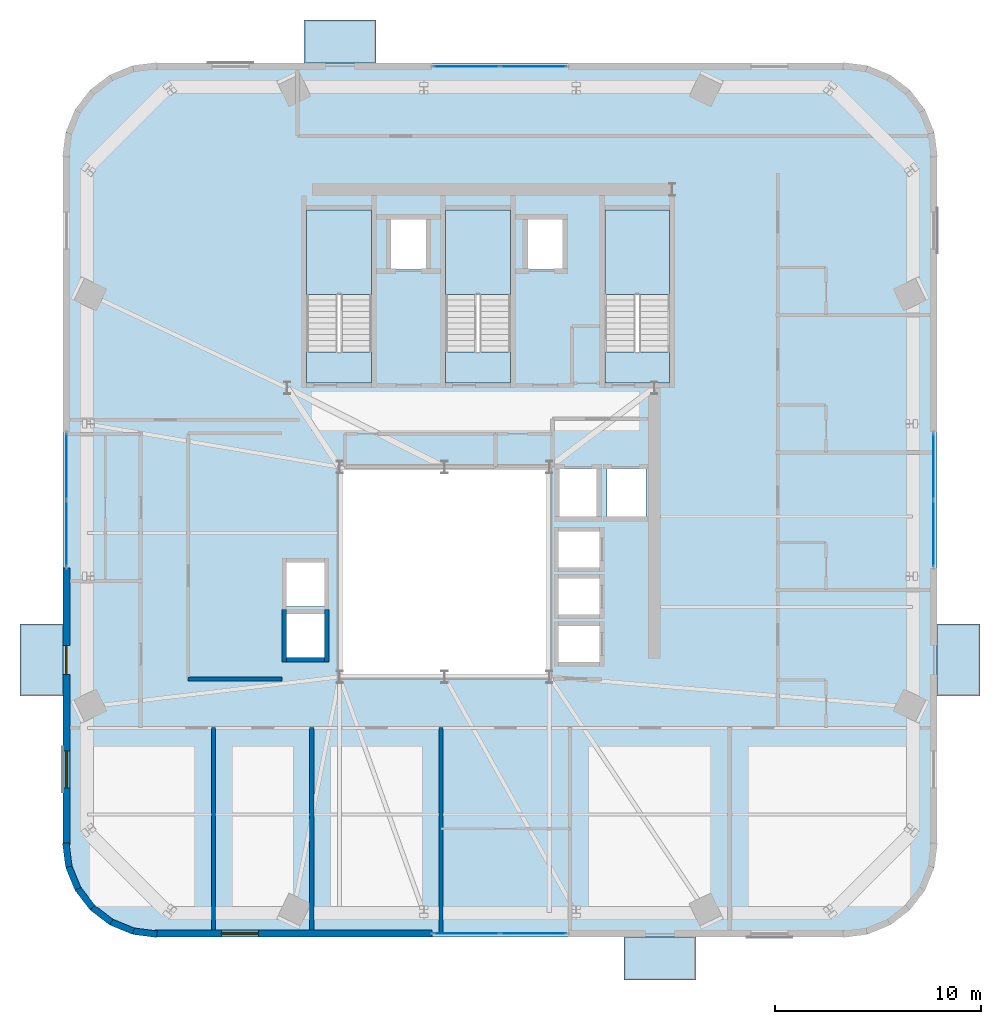
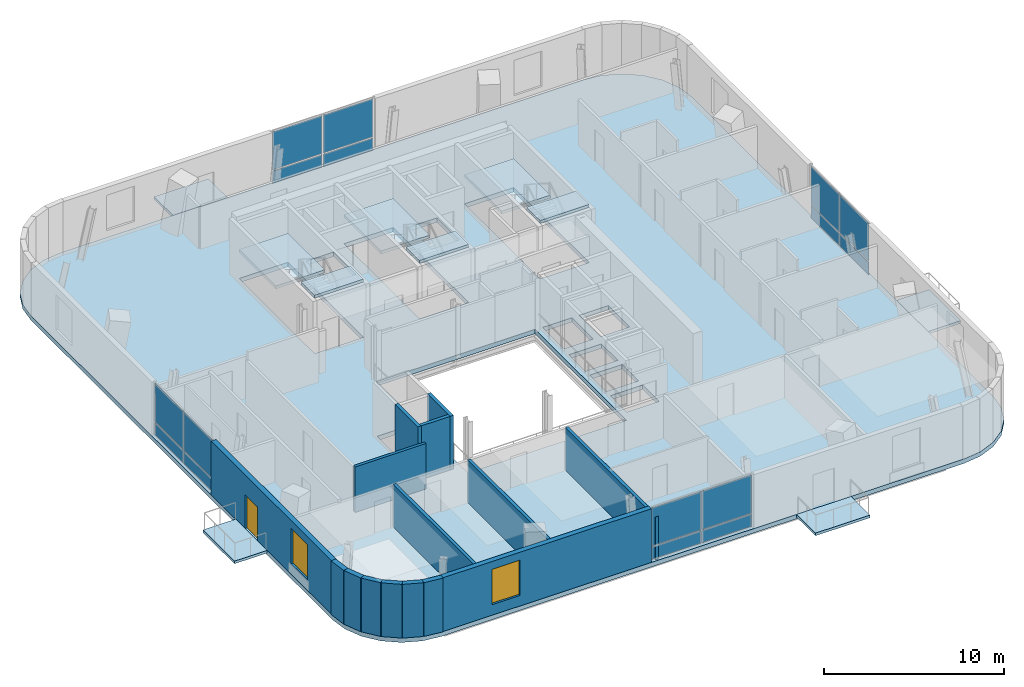
# One storey, part 5 of 14: 16 plates, 15 walls, 11 slabs, 2 windows, 1 door, 3 openings, 7 elements without a shape of their own.
"""IFC4 building model written with IfcOpenShell, lengths in metres."""

from ifc_helpers import new_model, si_unit, direction, frame, frame_2d, origin, origin_2d, place, context, subcontext, project, spatial, polyline, rectangle, outline, extrude, source, transform, mapped, material, layer, layer_set, type_object, element, fill, aggregate, save


model = new_model("IFC4")

# Units and contexts
model_context = context("Model", 3, precision=1e-05, world=origin(), true_north=direction((0.0, 1.0)))
body_context = subcontext(model_context, "Body", "Model", "MODEL_VIEW")
ifc_project = project(units=[si_unit("LENGTHUNIT", "METRE"), si_unit("AREAUNIT", "SQUARE_METRE"), si_unit("VOLUMEUNIT", "CUBIC_METRE"), si_unit("PLANEANGLEUNIT", "RADIAN"), si_unit("MASSUNIT", "GRAM", prefix="KILO")], contexts=[model_context])

# Site, building, storey
site_placement = place(None, origin())
site = spatial("IfcSite", under=ifc_project, at=site_placement, CompositionType="ELEMENT")
building_placement = place(site_placement, origin())
building = spatial("IfcBuilding", under=site, at=building_placement, Name="Vardaveli Station Tower", CompositionType="ELEMENT")
storey_placement = place(building_placement, frame((0.0, 0.0, 270.35009765625)))
storey = spatial("IfcBuildingStorey", under=building, at=storey_placement, Name="L69", CompositionType="ELEMENT", Elevation=270.35009765625)

# Stair, slabs
ifc_material_1 = material(Name="Concrete C40/50", Category="concrete")
stair_type = type_object("IfcStairType", Name="STR-CORE-1500", PredefinedType="HALF_TURN_STAIR", material=ifc_material_1)
stair_1_placement = place(storey_placement, origin())
stair_1 = element("IfcStair", 1, at=stair_1_placement, inside=storey, type_object=stair_type, Name="L69 ST-1", PredefinedType="HALF_TURN_STAIR")
ifc_layer_1 = layer(ifc_material_1, 0.199951171875, Name="Concrete C40/50")
ifc_layer_set_1 = layer_set([ifc_layer_1], Name="Concrete C40/50")
slab_type_1 = type_object("IfcSlabType", Name="SLB-LAND-200", PredefinedType="LANDING", material=ifc_layer_set_1)
slab_1_placement = place(storey_placement, frame((0.0, 0.0, 1.77490234375)))
slab_1 = element("IfcSlab", 2, at=slab_1_placement, type_object=slab_type_1, Name="ST-1 landing 1", PredefinedType="LANDING", context=body_context, shape_type="SweptSolid", body=[
    extrude(outline(polyline([(32.75, 35.199951171875), (32.75, 39.300048828125), (29.60009765625, 39.300048828125), (29.60009765625, 35.199951171875), (32.75, 35.199951171875)])), origin(), (0.0, 0.0, 1.0), 0.199951171875),
])
slab_2_placement = place(storey_placement, frame((0.0, 0.0, 3.75)))
slab_2 = element("IfcSlab", 3, at=slab_2_placement, type_object=slab_type_1, Name="ST-1 landing 2", PredefinedType="LANDING", context=body_context, shape_type="SweptSolid", body=[
    extrude(outline(polyline([(32.75, 30.89990234375), (32.75, 32.39990234375), (29.60009765625, 32.39990234375), (29.60009765625, 30.89990234375), (32.75, 30.89990234375)])), origin(), (0.0, 0.0, 1.0), 0.199951171875),
])
aggregate(stair_1, [slab_1, slab_2])

stair_2_placement = place(storey_placement, origin())
stair_2 = element("IfcStair", 4, at=stair_2_placement, inside=storey, type_object=stair_type, Name="L69 ST-2", PredefinedType="HALF_TURN_STAIR")
slab_3_placement = place(storey_placement, frame((0.0, 0.0, 1.77490234375)))
slab_3 = element("IfcSlab", 5, at=slab_3_placement, type_object=slab_type_1, Name="ST-2 landing 1", PredefinedType="LANDING", context=body_context, shape_type="SweptSolid", body=[
    extrude(outline(polyline([(39.5, 35.199951171875), (39.5, 39.300048828125), (36.35009765625, 39.300048828125), (36.35009765625, 35.199951171875), (39.5, 35.199951171875)])), origin(), (0.0, 0.0, 1.0), 0.199951171875),
])
slab_4_placement = place(storey_placement, frame((0.0, 0.0, 3.75)))
slab_4 = element("IfcSlab", 6, at=slab_4_placement, type_object=slab_type_1, Name="ST-2 landing 2", PredefinedType="LANDING", context=body_context, shape_type="SweptSolid", body=[
    extrude(outline(polyline([(39.5, 30.89990234375), (39.5, 32.39990234375), (36.35009765625, 32.39990234375), (36.35009765625, 30.89990234375), (39.5, 30.89990234375)])), origin(), (0.0, 0.0, 1.0), 0.199951171875),
])
aggregate(stair_2, [slab_3, slab_4])

stair_3_placement = place(storey_placement, origin())
stair_3 = element("IfcStair", 7, at=stair_3_placement, inside=storey, type_object=stair_type, Name="L69 ST-3", PredefinedType="HALF_TURN_STAIR")
slab_5_placement = place(storey_placement, frame((0.0, 0.0, 1.77490234375)))
slab_5 = element("IfcSlab", 8, at=slab_5_placement, type_object=slab_type_1, Name="ST-3 landing 1", PredefinedType="LANDING", context=body_context, shape_type="SweptSolid", body=[
    extrude(outline(polyline([(47.25, 35.199951171875), (47.25, 39.300048828125), (44.10009765625, 39.300048828125), (44.10009765625, 35.199951171875), (47.25, 35.199951171875)])), origin(), (0.0, 0.0, 1.0), 0.199951171875),
])
slab_6_placement = place(storey_placement, frame((0.0, 0.0, 3.75)))
slab_6 = element("IfcSlab", 9, at=slab_6_placement, type_object=slab_type_1, Name="ST-3 landing 2", PredefinedType="LANDING", context=body_context, shape_type="SweptSolid", body=[
    extrude(outline(polyline([(47.25, 30.89990234375), (47.25, 32.39990234375), (44.10009765625, 32.39990234375), (44.10009765625, 30.89990234375), (47.25, 30.89990234375)])), origin(), (0.0, 0.0, 1.0), 0.199951171875),
])
aggregate(stair_3, [slab_5, slab_6])

# Slabs
ifc_material_2 = material(Name="Precast concrete C45/55", Category="concrete")
ifc_layer_2 = layer(ifc_material_2, 0.179931640625, Name="Precast concrete C45/55")
ifc_layer_set_2 = layer_set([ifc_layer_2], Name="Precast concrete C45/55")
slab_type_2 = type_object("IfcSlabType", Name="SLB-LOGGIA-180", PredefinedType="FLOOR", material=ifc_layer_set_2)
slab_7_placement = place(storey_placement, frame((0.0, 0.0, -0.18017578125)))
element("IfcSlab", 10, at=slab_7_placement, inside=storey, type_object=slab_type_2, Name="LOG-L69-S", PredefinedType="FLOOR", context=body_context, shape_type="SweptSolid", body=[
    extrude(outline(polyline([(45.025390625, 1.860107421875), (48.525390625, 1.860107421875), (48.525390625, 3.9599609375), (45.025390625, 3.9599609375), (45.025390625, 1.860107421875)])), origin(), (0.0, 0.0, 1.0), 0.18017578125),
])
slab_8_placement = place(storey_placement, frame((0.0, 0.0, -0.18017578125)))
element("IfcSlab", 11, at=slab_8_placement, inside=storey, type_object=slab_type_2, Name="LOG-L69-N", PredefinedType="FLOOR", context=body_context, shape_type="SweptSolid", body=[
    extrude(outline(polyline([(29.474609375, 46.43994140625), (32.974609375, 46.43994140625), (32.974609375, 48.5400390625), (29.474609375, 48.5400390625), (29.474609375, 46.43994140625)])), origin(), (0.0, 0.0, 1.0), 0.18017578125),
])
slab_9_placement = place(storey_placement, frame((0.0, 0.0, -0.18017578125)))
element("IfcSlab", 12, at=slab_9_placement, inside=storey, type_object=slab_type_2, Name="LOG-L69-W", PredefinedType="FLOOR", context=body_context, shape_type="SweptSolid", body=[
    extrude(outline(polyline([(15.659912109375, 15.674560546875), (17.760009765625, 15.674560546875), (17.760009765625, 19.174560546875), (15.659912109375, 19.174560546875), (15.659912109375, 15.674560546875)])), origin(), (0.0, 0.0, 1.0), 0.18017578125),
])
slab_10_placement = place(storey_placement, frame((0.0, 0.0, -0.18017578125)))
element("IfcSlab", 13, at=slab_10_placement, inside=storey, type_object=slab_type_2, Name="LOG-L69-E", PredefinedType="FLOOR", context=body_context, shape_type="SweptSolid", body=[
    extrude(outline(polyline([(60.239990234375, 15.674560546875), (62.340087890625, 15.674560546875), (62.340087890625, 19.174560546875), (60.239990234375, 19.174560546875), (60.239990234375, 15.674560546875)])), origin(), (0.0, 0.0, 1.0), 0.18017578125),
])
ifc_material_3 = material(Name="Concrete C50/60", Category="concrete")
ifc_layer_3 = layer(ifc_material_3, 0.300048828125, Name="Concrete C50/60")
ifc_layer_set_3 = layer_set([ifc_layer_3], Name="Concrete C50/60")
slab_type_3 = type_object("IfcSlabType", Name="SLB-REF-300", PredefinedType="FLOOR", material=ifc_layer_set_3)
slab_11_placement = place(storey_placement, frame((0.0, 0.0, -0.300048828125)))
element("IfcSlab", 14, at=slab_11_placement, inside=storey, type_object=slab_type_3, Name="SLB-L69-MAIN", PredefinedType="FLOOR", context=body_context, shape_type="SweptSolid", body=[
    extrude(outline(polyline([(17.760009765625, 8.419921875), (17.911865234375, 7.265625), (18.357421875, 6.18994140625), (19.06640625, 5.266357421875), (19.989990234375, 4.5576171875), (21.065673828125, 4.112060546875), (22.219970703125, 3.9599609375), (55.780029296875, 3.9599609375), (56.934326171875, 4.112060546875), (58.010009765625, 4.5576171875), (58.93359375, 5.266357421875), (59.642578125, 6.18994140625), (60.088134765625, 7.265625), (60.239990234375, 8.419921875), (60.239990234375, 41.97998046875), (60.088134765625, 43.13427734375), (59.642578125, 44.2099609375), (58.93359375, 45.1337890625), (58.010009765625, 45.842529296875), (56.934326171875, 46.2880859375), (55.780029296875, 46.43994140625), (22.219970703125, 46.43994140625), (21.065673828125, 46.2880859375), (19.989990234375, 45.842529296875), (19.06640625, 45.1337890625), (18.357421875, 44.2099609375), (17.911865234375, 43.13427734375), (17.760009765625, 41.97998046875), (17.760009765625, 8.419921875)]), holes=[polyline([(31.199951171875, 16.60009765625), (41.39990234375, 16.60009765625), (41.39990234375, 26.800048828125), (31.199951171875, 26.800048828125), (31.199951171875, 16.60009765625)]), polyline([(32.75, 30.89990234375), (32.75, 39.300048828125), (29.60009765625, 39.300048828125), (29.60009765625, 30.89990234375), (32.75, 30.89990234375)]), polyline([(39.5, 30.89990234375), (39.5, 39.300048828125), (36.35009765625, 39.300048828125), (36.35009765625, 30.89990234375), (39.5, 30.89990234375)]), polyline([(47.25, 30.89990234375), (47.25, 39.300048828125), (44.10009765625, 39.300048828125), (44.10009765625, 30.89990234375), (47.25, 30.89990234375)]), polyline([(33.659912109375, 36.409912109375), (35.43994140625, 36.409912109375), (35.43994140625, 38.889892578125), (33.659912109375, 38.889892578125), (33.659912109375, 36.409912109375)]), polyline([(40.31005859375, 36.409912109375), (42.090087890625, 36.409912109375), (42.090087890625, 38.889892578125), (40.31005859375, 38.889892578125), (40.31005859375, 36.409912109375)]), polyline([(41.81005859375, 21.885009765625), (43.889892578125, 21.885009765625), (43.889892578125, 23.715087890625), (41.81005859375, 23.715087890625), (41.81005859375, 21.885009765625)]), polyline([(41.81005859375, 19.5849609375), (43.889892578125, 19.5849609375), (43.889892578125, 21.4150390625), (41.81005859375, 21.4150390625), (41.81005859375, 19.5849609375)]), polyline([(41.81005859375, 17.284912109375), (43.889892578125, 17.284912109375), (43.889892578125, 19.114990234375), (41.81005859375, 19.114990234375), (41.81005859375, 17.284912109375)]), polyline([(28.5849609375, 17.510009765625), (30.514892578125, 17.510009765625), (30.514892578125, 19.68994140625), (28.5849609375, 19.68994140625), (28.5849609375, 17.510009765625)]), polyline([(28.5849609375, 20.010009765625), (30.514892578125, 20.010009765625), (30.514892578125, 22.18994140625), (28.5849609375, 22.18994140625), (28.5849609375, 20.010009765625)]), polyline([(41.860107421875, 24.360107421875), (43.739990234375, 24.360107421875), (43.739990234375, 26.739990234375), (41.860107421875, 26.739990234375), (41.860107421875, 24.360107421875)]), polyline([(44.2099609375, 24.360107421875), (46.090087890625, 24.360107421875), (46.090087890625, 26.739990234375), (44.2099609375, 26.739990234375), (44.2099609375, 24.360107421875)])]), origin(), (0.0, 0.0, 1.0), 0.300048828125),
])

# Curtain wall, plates
ifc_material_4 = material(Name="Travertine stone and solar-control glass", Category="masonry")
curtain_wall_type = type_object("IfcCurtainWallType", Name="CW-SYS-5", PredefinedType="NOTDEFINED", material=ifc_material_4)
curtain_wall_1_placement = place(storey_placement, origin())
curtain_wall_1 = element("IfcCurtainWall", 15, at=curtain_wall_1_placement, inside=storey, type_object=curtain_wall_type, Name="CW-L69-S", PredefinedType="NOTDEFINED")
ifc_material_5 = material(Name="Double-glazed low-E solar-control glass", Category="glass")
ifc_layer_4 = layer(ifc_material_5, 0.031982421875, Name="Double-glazed low-E solar-control glass")
ifc_layer_set_4 = layer_set([ifc_layer_4], Name="Double-glazed low-E solar-control glass")
plate_type = type_object("IfcPlateType", Name="CW-SYS-5-PAN", PredefinedType="CURTAIN_PANEL", material=ifc_layer_set_4)
shared_shape_1 = source(origin(), body_context, "Body", "SweptSolid", [
    extrude(rectangle(XDim=3.179931640625, YDim=0.031982421875, at=origin_2d()), origin(), (0.0, 0.0, 1.0), 0.830078125),
])
plate_1_placement = place(storey_placement, frame((37.3701171875, 4.1201171875, 0.079833984375), z_axis=(0.0, 0.0, 1.0), x_axis=(1.0, 0.0, 0.0)))
plate_1 = element("IfcPlate", 16, at=plate_1_placement, type_object=plate_type, Name="CW-5 panel 1.1", PredefinedType="CURTAIN_PANEL", context=body_context, shape_type="MappedRepresentation", body=[
    mapped(shared_shape_1, transform((0.0, 0.0, 0.0), scale=1.0)),
])
plate_2_placement = place(storey_placement, frame((40.6298828125, 4.1201171875, 0.079833984375), z_axis=(0.0, 0.0, 1.0), x_axis=(1.0, 0.0, 0.0)))
plate_2 = element("IfcPlate", 17, at=plate_2_placement, type_object=plate_type, Name="CW-5 panel 2.1", PredefinedType="CURTAIN_PANEL", context=body_context, shape_type="MappedRepresentation", body=[
    mapped(shared_shape_1, transform((0.0, 0.0, 0.0), scale=1.0)),
])

curtain_wall_2_placement = place(storey_placement, origin())
curtain_wall_2 = element("IfcCurtainWall", 18, at=curtain_wall_2_placement, inside=storey, type_object=curtain_wall_type, Name="CW-L69-N", PredefinedType="NOTDEFINED")
plate_3_placement = place(storey_placement, frame((40.6298828125, 46.280029296875, 0.079833984375), z_axis=(0.0, 0.0, 1.0), x_axis=(-1.0, 0.0, 0.0)))
plate_3 = element("IfcPlate", 19, at=plate_3_placement, type_object=plate_type, Name="CW-5 panel 1.1", PredefinedType="CURTAIN_PANEL", context=body_context, shape_type="MappedRepresentation", body=[
    mapped(shared_shape_1, transform((0.0, 0.0, 0.0), scale=1.0)),
])
plate_4_placement = place(storey_placement, frame((37.3701171875, 46.280029296875, 0.079833984375), z_axis=(0.0, 0.0, 1.0), x_axis=(-1.0, 0.0, 0.0)))
plate_4 = element("IfcPlate", 20, at=plate_4_placement, type_object=plate_type, Name="CW-5 panel 2.1", PredefinedType="CURTAIN_PANEL", context=body_context, shape_type="MappedRepresentation", body=[
    mapped(shared_shape_1, transform((0.0, 0.0, 0.0), scale=1.0)),
])

curtain_wall_3_placement = place(storey_placement, origin())
curtain_wall_3 = element("IfcCurtainWall", 21, at=curtain_wall_3_placement, inside=storey, type_object=curtain_wall_type, Name="CW-L69-W", PredefinedType="NOTDEFINED")
plate_5_placement = place(storey_placement, frame((17.919921875, 26.830078125, 0.079833984375), z_axis=(0.0, 0.0, 1.0), x_axis=(0.0, -1.0, 0.0)))
plate_5 = element("IfcPlate", 22, at=plate_5_placement, type_object=plate_type, Name="CW-5 panel 1.1", PredefinedType="CURTAIN_PANEL", context=body_context, shape_type="MappedRepresentation", body=[
    mapped(shared_shape_1, transform((0.0, 0.0, 0.0), scale=1.0)),
])
plate_6_placement = place(storey_placement, frame((17.919921875, 23.570068359375, 0.079833984375), z_axis=(0.0, 0.0, 1.0), x_axis=(0.0, -1.0, 0.0)))
plate_6 = element("IfcPlate", 23, at=plate_6_placement, type_object=plate_type, Name="CW-5 panel 2.1", PredefinedType="CURTAIN_PANEL", context=body_context, shape_type="MappedRepresentation", body=[
    mapped(shared_shape_1, transform((0.0, 0.0, 0.0), scale=1.0)),
])

curtain_wall_4_placement = place(storey_placement, origin())
curtain_wall_4 = element("IfcCurtainWall", 24, at=curtain_wall_4_placement, inside=storey, type_object=curtain_wall_type, Name="CW-L69-E", PredefinedType="NOTDEFINED")
plate_7_placement = place(storey_placement, frame((60.080078125, 23.570068359375, 0.079833984375), z_axis=(0.0, 0.0, 1.0), x_axis=(0.0, 1.0, 0.0)))
plate_7 = element("IfcPlate", 25, at=plate_7_placement, type_object=plate_type, Name="CW-5 panel 1.1", PredefinedType="CURTAIN_PANEL", context=body_context, shape_type="MappedRepresentation", body=[
    mapped(shared_shape_1, transform((0.0, 0.0, 0.0), scale=1.0)),
])
plate_8_placement = place(storey_placement, frame((60.080078125, 26.830078125, 0.079833984375), z_axis=(0.0, 0.0, 1.0), x_axis=(0.0, 1.0, 0.0)))
plate_8 = element("IfcPlate", 26, at=plate_8_placement, type_object=plate_type, Name="CW-5 panel 2.1", PredefinedType="CURTAIN_PANEL", context=body_context, shape_type="MappedRepresentation", body=[
    mapped(shared_shape_1, transform((0.0, 0.0, 0.0), scale=1.0)),
])

# Plate
shared_shape_2 = source(origin(), body_context, "Body", "SweptSolid", [
    extrude(rectangle(XDim=3.179931640625, YDim=0.031982421875, at=origin_2d()), origin(), (0.0, 0.0, 1.0), 2.580078125),
])
plate_9_placement = place(storey_placement, frame((37.3701171875, 4.1201171875, 0.98974609375), z_axis=(0.0, 0.0, 1.0), x_axis=(1.0, 0.0, 0.0)))
plate_9 = element("IfcPlate", 27, at=plate_9_placement, type_object=plate_type, Name="CW-5 panel 1.2", PredefinedType="CURTAIN_PANEL", context=body_context, shape_type="MappedRepresentation", body=[
    mapped(shared_shape_2, transform((0.0, 0.0, 0.0), scale=1.0)),
])

plate_10_placement = place(storey_placement, frame((40.6298828125, 4.1201171875, 0.98974609375), z_axis=(0.0, 0.0, 1.0), x_axis=(1.0, 0.0, 0.0)))
plate_10 = element("IfcPlate", 28, at=plate_10_placement, type_object=plate_type, Name="CW-5 panel 2.2", PredefinedType="CURTAIN_PANEL", context=body_context, shape_type="MappedRepresentation", body=[
    mapped(shared_shape_2, transform((0.0, 0.0, 0.0), scale=1.0)),
])

aggregate(curtain_wall_1, [plate_1, plate_9, plate_2, plate_10])

plate_11_placement = place(storey_placement, frame((40.6298828125, 46.280029296875, 0.98974609375), z_axis=(0.0, 0.0, 1.0), x_axis=(-1.0, 0.0, 0.0)))
plate_11 = element("IfcPlate", 29, at=plate_11_placement, type_object=plate_type, Name="CW-5 panel 1.2", PredefinedType="CURTAIN_PANEL", context=body_context, shape_type="MappedRepresentation", body=[
    mapped(shared_shape_2, transform((0.0, 0.0, 0.0), scale=1.0)),
])

plate_12_placement = place(storey_placement, frame((37.3701171875, 46.280029296875, 0.98974609375), z_axis=(0.0, 0.0, 1.0), x_axis=(-1.0, 0.0, 0.0)))
plate_12 = element("IfcPlate", 30, at=plate_12_placement, type_object=plate_type, Name="CW-5 panel 2.2", PredefinedType="CURTAIN_PANEL", context=body_context, shape_type="MappedRepresentation", body=[
    mapped(shared_shape_2, transform((0.0, 0.0, 0.0), scale=1.0)),
])

aggregate(curtain_wall_2, [plate_3, plate_11, plate_4, plate_12])

plate_13_placement = place(storey_placement, frame((17.919921875, 26.830078125, 0.98974609375), z_axis=(0.0, 0.0, 1.0), x_axis=(0.0, -1.0, 0.0)))
plate_13 = element("IfcPlate", 31, at=plate_13_placement, type_object=plate_type, Name="CW-5 panel 1.2", PredefinedType="CURTAIN_PANEL", context=body_context, shape_type="MappedRepresentation", body=[
    mapped(shared_shape_2, transform((0.0, 0.0, 0.0), scale=1.0)),
])

plate_14_placement = place(storey_placement, frame((17.919921875, 23.570068359375, 0.98974609375), z_axis=(0.0, 0.0, 1.0), x_axis=(0.0, -1.0, 0.0)))
plate_14 = element("IfcPlate", 32, at=plate_14_placement, type_object=plate_type, Name="CW-5 panel 2.2", PredefinedType="CURTAIN_PANEL", context=body_context, shape_type="MappedRepresentation", body=[
    mapped(shared_shape_2, transform((0.0, 0.0, 0.0), scale=1.0)),
])

aggregate(curtain_wall_3, [plate_5, plate_13, plate_6, plate_14])

plate_15_placement = place(storey_placement, frame((60.080078125, 23.570068359375, 0.98974609375), z_axis=(0.0, 0.0, 1.0), x_axis=(0.0, 1.0, 0.0)))
plate_15 = element("IfcPlate", 33, at=plate_15_placement, type_object=plate_type, Name="CW-5 panel 1.2", PredefinedType="CURTAIN_PANEL", context=body_context, shape_type="MappedRepresentation", body=[
    mapped(shared_shape_2, transform((0.0, 0.0, 0.0), scale=1.0)),
])

plate_16_placement = place(storey_placement, frame((60.080078125, 26.830078125, 0.98974609375), z_axis=(0.0, 0.0, 1.0), x_axis=(0.0, 1.0, 0.0)))
plate_16 = element("IfcPlate", 34, at=plate_16_placement, type_object=plate_type, Name="CW-5 panel 2.2", PredefinedType="CURTAIN_PANEL", context=body_context, shape_type="MappedRepresentation", body=[
    mapped(shared_shape_2, transform((0.0, 0.0, 0.0), scale=1.0)),
])

aggregate(curtain_wall_4, [plate_7, plate_15, plate_8, plate_16])

# Wall, opening, window
ifc_layer_5 = layer(ifc_material_2, 0.320068359375, Name="Precast concrete C45/55")
ifc_layer_set_5 = layer_set([ifc_layer_5], Name="Precast concrete C45/55")
wall_type_1 = type_object("IfcWallType", Name="WAL-EXT-STONE-320", PredefinedType="SOLIDWALL", material=ifc_layer_set_5)
shared_shape_3 = source(origin(), body_context, "Body", "SweptSolid", [
    extrude(rectangle(XDim=13.47998046875, YDim=0.320068359375, at=frame_2d((6.739990234375, 0.0))), origin(), (0.0, 0.0, 1.0), 3.64990234375),
])
wall_1_placement = place(storey_placement, frame((22.219970703125, 4.1201171875, 0.0), z_axis=(0.0, 0.0, 1.0), x_axis=(1.0, 0.0, 0.0)))
wall_1 = element("IfcWall", 35, at=wall_1_placement, inside=storey, type_object=wall_type_1, Name="EW-L69-S1", PredefinedType="SOLIDWALL", context=body_context, shape_type="MappedRepresentation", body=[
    mapped(shared_shape_3, transform((0.0, 0.0, 0.0), scale=1.0)),
])
shared_shape_4 = source(origin(), body_context, "Body", "SweptSolid", [
    extrude(rectangle(XDim=1.800048828125, YDim=2.39990234375, at=frame_2d((0.89990234375, 1.199951171875))), frame((0.0, 0.169921875, 0.0), z_axis=(0.0, -1.0, 0.0), x_axis=(1.0, 0.0, 0.0)), (0.0, 0.0, 1.0), 0.340087890625),
])
opening_1_placement = place(wall_1_placement, frame((3.23095703125, 0.0, 0.719970703125)))
opening_1 = element("IfcOpeningElement", 36, at=opening_1_placement, cuts=wall_1, Name="Opening W-05", PredefinedType="OPENING", context=body_context, shape_type="MappedRepresentation", body=[
    mapped(shared_shape_4, transform((0.0, 0.0, 0.0), scale=1.0)),
])
ifc_material_6 = material(Name="Low-E solar-control glass", Category="glass")
window_type = type_object("IfcWindowType", Name="WIN-HIGH-1800x2400", PartitioningType="SINGLE_PANEL", PredefinedType="WINDOW", material=ifc_material_6)
shared_shape_5 = source(origin(), body_context, "Body", "SweptSolid", [
    extrude(rectangle(XDim=1.800048828125, YDim=2.39990234375, at=frame_2d((0.89990234375, 1.199951171875))), frame((0.0, 0.030029296875, 0.0), z_axis=(0.0, -1.0, 0.0), x_axis=(1.0, 0.0, 0.0)), (0.0, 0.0, 1.0), 0.06005859375),
])
window_1_placement = place(opening_1_placement, origin())
window_1 = element("IfcWindow", 37, at=window_1_placement, inside=storey, type_object=window_type, Name="WN-L69-S1", OverallHeight=2.39990234375, OverallWidth=1.800048828125, PartitioningType="SINGLE_PANEL", PredefinedType="WINDOW", context=body_context, shape_type="MappedRepresentation", body=[
    mapped(shared_shape_5, transform((0.0, 0.0, 0.0), scale=1.0)),
])
fill(opening_1, window_1)

# Wall, openings, door, window
wall_2_placement = place(storey_placement, frame((17.919921875, 21.89990234375, 0.0), z_axis=(0.0, 0.0, 1.0), x_axis=(0.0, -1.0, 0.0)))
wall_2 = element("IfcWall", 38, at=wall_2_placement, inside=storey, type_object=wall_type_1, Name="EW-L69-W2", PredefinedType="SOLIDWALL", context=body_context, shape_type="MappedRepresentation", body=[
    mapped(shared_shape_3, transform((0.0, 0.0, 0.0), scale=1.0)),
])
shared_shape_6 = source(origin(), body_context, "Body", "SweptSolid", [
    extrude(rectangle(XDim=1.39990234375, YDim=2.300048828125, at=frame_2d((0.699951171875, 1.14990234375))), frame((0.0, 0.169921875, 0.0), z_axis=(0.0, -1.0, 0.0), x_axis=(1.0, 0.0, 0.0)), (0.0, 0.0, 1.0), 0.340087890625),
])
opening_2_placement = place(wall_2_placement, frame((3.775390625, 0.0, 0.0)))
opening_2 = element("IfcOpeningElement", 39, at=opening_2_placement, cuts=wall_2, Name="Opening D-09", PredefinedType="OPENING", context=body_context, shape_type="MappedRepresentation", body=[
    mapped(shared_shape_6, transform((0.0, 0.0, 0.0), scale=1.0)),
])
opening_3_placement = place(wall_2_placement, frame((8.89892578125, 0.0, 0.719970703125)))
opening_3 = element("IfcOpeningElement", 40, at=opening_3_placement, cuts=wall_2, Name="Opening W-05", PredefinedType="OPENING", context=body_context, shape_type="MappedRepresentation", body=[
    mapped(shared_shape_4, transform((0.0, 0.0, 0.0), scale=1.0)),
])
ifc_material_7 = material(Name="Thermally broken aluminium glass", Category="aluminium")
door_type = type_object("IfcDoorType", Name="DR-LOG-1400x2300", OperationType="DOUBLE_DOOR_SLIDING", PredefinedType="DOOR", material=ifc_material_7)
shared_shape_7 = source(origin(), body_context, "Body", "SweptSolid", [
    extrude(rectangle(XDim=1.39990234375, YDim=2.300048828125, at=frame_2d((0.699951171875, 1.14990234375))), frame((0.0, 0.02490234375, 0.0), z_axis=(0.0, -1.0, 0.0), x_axis=(1.0, 0.0, 0.0)), (0.0, 0.0, 1.0), 0.050048828125),
])
door_placement = place(opening_2_placement, frame((1.39990234375, 0.0, 0.0), z_axis=(0.0, 0.0, 1.0), x_axis=(-1.0, 0.0, 0.0)))
door = element("IfcDoor", 41, at=door_placement, inside=storey, type_object=door_type, Name="DLG-L69-W", OperationType="DOUBLE_DOOR_SLIDING", OverallHeight=2.300048828125, OverallWidth=1.39990234375, PredefinedType="DOOR", context=body_context, shape_type="MappedRepresentation", body=[
    mapped(shared_shape_7, transform((0.0, 0.0, 0.0), scale=1.0)),
])
fill(opening_2, door)
window_2_placement = place(opening_3_placement, origin())
window_2 = element("IfcWindow", 42, at=window_2_placement, inside=storey, type_object=window_type, Name="WN-L69-W2", OverallHeight=2.39990234375, OverallWidth=1.800048828125, PartitioningType="SINGLE_PANEL", PredefinedType="WINDOW", context=body_context, shape_type="MappedRepresentation", body=[
    mapped(shared_shape_5, transform((0.0, 0.0, 0.0), scale=1.0)),
])
fill(opening_3, window_2)

# Walls
shared_shape_8 = source(origin(), body_context, "Body", "SweptSolid", [
    extrude(rectangle(XDim=1.159423828125, YDim=0.320068359375, at=frame_2d((0.57958984375, 0.0))), origin(), (0.0, 0.0, 1.0), 3.64990234375),
])
wall_3_placement = place(storey_placement, frame((17.885498046875, 8.519287109375, 0.0), z_axis=(0.0, 0.0, 1.0), x_axis=(0.128024787431, -0.991770968421, 0.0)))
element("IfcWall", 43, at=wall_3_placement, inside=storey, type_object=wall_type_1, Name="EW-L69-CR1-1", PredefinedType="SOLIDWALL", context=body_context, shape_type="MappedRepresentation", body=[
    mapped(shared_shape_8, transform((0.0, 0.0, 0.0), scale=1.0)),
])
shared_shape_9 = source(origin(), body_context, "Body", "SweptSolid", [
    extrude(rectangle(XDim=1.158447265625, YDim=0.320068359375, at=frame_2d((0.5791015625, 0.0))), origin(), (0.0, 0.0, 1.0), 3.64990234375),
])
for number, where, z_axis, x_axis, name in (
    (44, (18.033935546875, 7.369384765625, 0.0), (0.0, 0.0, 1.0), (0.38103598301, -0.924560208776, 0.0), "EW-L69-CR1-2"),
    (45, (20.098388671875, 4.67529296875, 0.0), (0.0, 0.0, 1.0), (0.924560208776, -0.38103598301, 0.0), "EW-L69-CR1-5"),
):
    element("IfcWall", number, at=place(storey_placement, frame(where, z_axis=z_axis, x_axis=x_axis)), inside=storey, type_object=wall_type_1, Name=name, PredefinedType="SOLIDWALL", context=body_context, shape_type="MappedRepresentation", body=[
        mapped(shared_shape_9, transform((0.0, 0.0, 0.0), scale=1.0)),
    ])
shared_shape_10 = source(origin(), body_context, "Body", "SweptSolid", [
    extrude(rectangle(XDim=1.15771484375, YDim=0.320068359375, at=frame_2d((0.578857421875, 0.0))), origin(), (0.0, 0.0, 1.0), 3.64990234375),
])
for number, where, z_axis, x_axis, name in (
    (46, (18.475341796875, 6.29833984375, 0.0), (0.0, 0.0, 1.0), (0.608201297311, -0.793782830471, 0.0), "EW-L69-CR1-3"),
    (47, (19.179443359375, 5.37939453125, 0.0), (0.0, 0.0, 1.0), (0.793782830471, -0.608201297311, 0.0), "EW-L69-CR1-4"),
):
    element("IfcWall", number, at=place(storey_placement, frame(where, z_axis=z_axis, x_axis=x_axis)), inside=storey, type_object=wall_type_1, Name=name, PredefinedType="SOLIDWALL", context=body_context, shape_type="MappedRepresentation", body=[
        mapped(shared_shape_10, transform((0.0, 0.0, 0.0), scale=1.0)),
    ])
shared_shape_11 = source(origin(), body_context, "Body", "SweptSolid", [
    extrude(rectangle(XDim=1.1591796875, YDim=0.320068359375, at=frame_2d((0.57958984375, 0.0))), origin(), (0.0, 0.0, 1.0), 3.64990234375),
])
wall_4_placement = place(storey_placement, frame((21.16943359375, 4.23388671875, 0.0), z_axis=(0.0, 0.0, 1.0), x_axis=(0.991767516072, -0.128051528939, 0.0)))
element("IfcWall", 48, at=wall_4_placement, inside=storey, type_object=wall_type_1, Name="EW-L69-CR1-6", PredefinedType="SOLIDWALL", context=body_context, shape_type="MappedRepresentation", body=[
    mapped(shared_shape_11, transform((0.0, 0.0, 0.0), scale=1.0)),
])
ifc_layer_6 = layer(ifc_material_1, 0.219970703125, Name="Concrete C40/50")
ifc_layer_set_6 = layer_set([ifc_layer_6], Name="Concrete C40/50")
wall_type_2 = type_object("IfcWallType", Name="WAL-FFLOBBY-220", PredefinedType="SOLIDWALL", material=ifc_layer_set_6)
shared_shape_12 = source(origin(), body_context, "Body", "SweptSolid", [
    extrude(rectangle(XDim=1.85009765625, YDim=0.219970703125, at=frame_2d((0.925048828125, 0.0))), origin(), (0.0, 0.0, 1.0), 3.64990234375),
])
wall_5_placement = place(storey_placement, frame((28.625, 17.43994140625, 0.0), z_axis=(0.0, 0.0, 1.0), x_axis=(1.0, 0.0, 0.0)))
element("IfcWall", 49, at=wall_5_placement, inside=storey, type_object=wall_type_2, Name="SHW-OBS-01-L69-S", PredefinedType="SOLIDWALL", context=body_context, shape_type="MappedRepresentation", body=[
    mapped(shared_shape_12, transform((0.0, 0.0, 0.0), scale=1.0)),
])
shared_shape_13 = source(origin(), body_context, "Body", "SweptSolid", [
    extrude(rectangle(XDim=2.5400390625, YDim=0.219970703125, at=frame_2d((1.27001953125, 0.0))), origin(), (0.0, 0.0, 1.0), 3.64990234375),
])
for number, where, z_axis, x_axis, name in (
    (50, (28.514892578125, 17.330078125, 0.0), (0.0, 0.0, 1.0), (0.0, 1.0, 0.0), "SHW-OBS-01-L69-W"),
    (51, (30.5849609375, 17.330078125, 0.0), (0.0, 0.0, 1.0), (0.0, 1.0, 0.0), "SHW-OBS-01-L69-E"),
):
    element("IfcWall", number, at=place(storey_placement, frame(where, z_axis=z_axis, x_axis=x_axis)), inside=storey, type_object=wall_type_2, Name=name, PredefinedType="SOLIDWALL", context=body_context, shape_type="MappedRepresentation", body=[
        mapped(shared_shape_13, transform((0.0, 0.0, 0.0), scale=1.0)),
    ])
ifc_material_8 = material(Name="Acoustic twin-stud gypsum partition")
ifc_layer_7 = layer(ifc_material_8, 0.199951171875, Name="Acoustic twin-stud gypsum partition")
ifc_layer_set_7 = layer_set([ifc_layer_7], Name="Acoustic twin-stud gypsum partition")
wall_type_3 = type_object("IfcWallType", Name="WAL-PARTY-200", PredefinedType="PARTITIONING", material=ifc_layer_set_7)
shared_shape_14 = source(origin(), body_context, "Body", "SweptSolid", [
    extrude(rectangle(XDim=9.847900390625, YDim=0.199951171875, at=frame_2d((4.923828125, 0.0))), origin(), (0.0, 0.0, 1.0), 2.891845703125),
])
for number, where, z_axis, x_axis, name in (
    (52, (25.072998046875, 4.281982421875, 0.0), (0.0, 0.0, 1.0), (0.0, 1.0, 0.0), "W-L69-PS1"),
    (53, (29.847900390625, 4.281982421875, 0.0), (0.0, 0.0, 1.0), (0.0, 1.0, 0.0), "W-L69-PS2"),
):
    element("IfcWall", number, at=place(storey_placement, frame(where, z_axis=z_axis, x_axis=x_axis)), inside=storey, type_object=wall_type_3, Name=name, PredefinedType="PARTITIONING", context=body_context, shape_type="MappedRepresentation", body=[
        mapped(shared_shape_14, transform((0.0, 0.0, 0.0), scale=1.0)),
    ])
shared_shape_15 = source(origin(), body_context, "Body", "SweptSolid", [
    extrude(rectangle(XDim=10.039794921875, YDim=0.199951171875, at=frame_2d((5.02001953125, 0.0))), origin(), (0.0, 0.0, 1.0), 2.891845703125),
])
wall_6_placement = place(storey_placement, frame((36.1220703125, 4.090087890625, 0.0), z_axis=(0.0, 0.0, 1.0), x_axis=(0.0, 1.0, 0.0)))
element("IfcWall", 54, at=wall_6_placement, inside=storey, type_object=wall_type_3, Name="W-L69-PS3", PredefinedType="PARTITIONING", context=body_context, shape_type="MappedRepresentation", body=[
    mapped(shared_shape_15, transform((0.0, 0.0, 0.0), scale=1.0)),
])
ifc_material_9 = material(Name="Fire-rated gypsum stud partition")
ifc_layer_8 = layer(ifc_material_9, 0.179931640625, Name="Fire-rated gypsum stud partition")
ifc_layer_set_8 = layer_set([ifc_layer_8], Name="Fire-rated gypsum stud partition")
wall_type_4 = type_object("IfcWallType", Name="WAL-CORR-180", PredefinedType="PARTITIONING", material=ifc_layer_set_8)
shared_shape_16 = source(origin(), body_context, "Body", "SweptSolid", [
    extrude(rectangle(XDim=4.559814453125, YDim=0.179931640625, at=frame_2d((2.27978515625, 0.0))), origin(), (0.0, 0.0, 1.0), 3.091796875),
])
wall_7_placement = place(storey_placement, frame((23.840087890625, 16.5, 0.0), z_axis=(0.0, 0.0, 1.0), x_axis=(1.0, 0.0, 0.0)))
element("IfcWall", 55, at=wall_7_placement, inside=storey, type_object=wall_type_4, Name="W-L69-ATW-S", PredefinedType="PARTITIONING", context=body_context, shape_type="MappedRepresentation", body=[
    mapped(shared_shape_16, transform((0.0, 0.0, 0.0), scale=1.0)),
])

save(model, "model.ifc")
